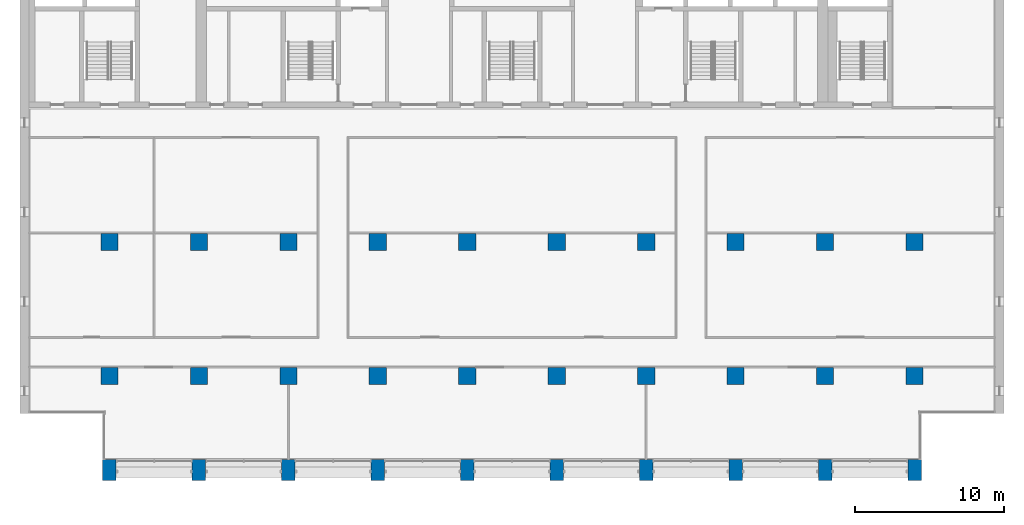
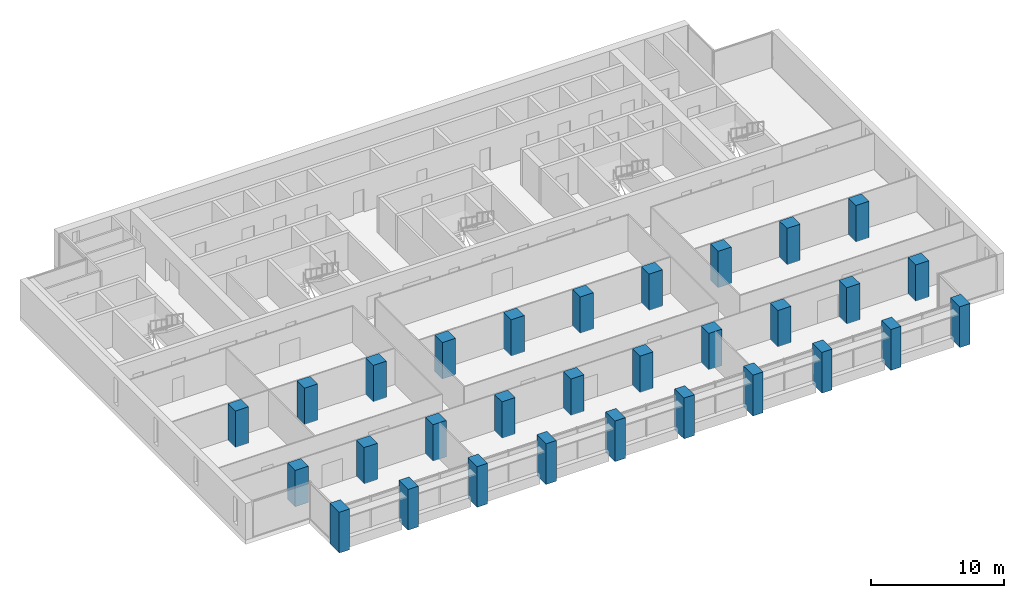
# One storey, part 1 of 16: 30 columns.
"""IFC4 building model written with IfcOpenShell, lengths in metres."""

import ifcopenshell
import ifcopenshell.guid

model = None  # the IFC model being written
_history = None  # IfcOwnerHistory: only IFC2X3 demands one
_inside = {}  # id of a spatial element -> (the spatial element, [elements in it])
_under = {}  # id of a project, library or spatial element -> (it, [spatial elements below it])
_declared = {}  # id of a project -> (the project, [libraries it declares])
_typed = {}  # id of a type object -> (the type object, [elements of that type])
_made_of = {}  # id of a material, layer set ... -> (it, [elements and type objects made of it])


def new_model(schema):
    """Start an empty IFC model of exactly this schema.

    Asked for "IFC4X3", IfcOpenShell would pick the latest addendum, in which some entities
    have other attributes; the version numbers below select the first issue.
    IFC2X3 requires an IfcOwnerHistory on every rooted entity: one is made here for all.
    """
    global model, _history
    if schema == "IFC4X3":
        model = ifcopenshell.file(schema_version=(4, 3, 0, 0))
    else:
        model = ifcopenshell.file(schema=schema)
    _inside.clear()
    _under.clear()
    _declared.clear()
    _typed.clear()
    _made_of.clear()
    _history = None
    if model.schema == "IFC2X3":
        org = make("IfcOrganization", Name="unknown")
        user = make(
            "IfcPersonAndOrganization",
            ThePerson=make("IfcPerson", FamilyName="unknown"),
            TheOrganization=org,
        )
        app = make(
            "IfcApplication",
            ApplicationDeveloper=org,
            Version="unknown",
            ApplicationFullName="unknown",
            ApplicationIdentifier="unknown",
        )
        _history = make(
            "IfcOwnerHistory",
            OwningUser=user,
            OwningApplication=app,
            ChangeAction="ADDED",
            CreationDate=0,
        )
    return model


def make(cls, **values):
    """One entity of the class cls with the attributes given. An attribute that is None is left unset."""
    return model.create_entity(
        cls, **{name: value for name, value in values.items() if value is not None}
    )


def rooted(cls, **values):
    """An entity with a GlobalId (a new one), such as an element, a storey or a relation."""
    return make(cls, GlobalId=ifcopenshell.guid.new(), OwnerHistory=_history, **values)


def si_unit(unit_type, name, prefix=None):
    """IfcSIUnit, for example si_unit("LENGTHUNIT", "METRE", prefix="MILLI")."""
    return make("IfcSIUnit", UnitType=unit_type, Prefix=prefix, Name=name)


def assignment(units):
    """IfcUnitAssignment: the units of a project."""
    return None if units is None else make("IfcUnitAssignment", Units=units)


def point(xyz):
    """IfcCartesianPoint."""
    return None if xyz is None else make("IfcCartesianPoint", Coordinates=xyz)


def direction(xyz):
    """IfcDirection."""
    return None if xyz is None else make("IfcDirection", DirectionRatios=xyz)


def frame(location, z_axis=None, x_axis=None):
    """IfcAxis2Placement3D, a coordinate frame: its origin and axes. An axis left out is left unset."""
    return make(
        "IfcAxis2Placement3D",
        Location=point(location),
        Axis=direction(z_axis),
        RefDirection=direction(x_axis),
    )


def frame_2d(location, x_axis=None):
    """IfcAxis2Placement2D, a coordinate frame in the plane: its origin and x axis."""
    return make(
        "IfcAxis2Placement2D", Location=point(location), RefDirection=direction(x_axis)
    )


def origin():
    """The frame at (0, 0, 0) with its axes left unset."""
    return frame((0.0, 0.0, 0.0))


def origin_2d():
    """The frame at (0, 0) in the plane with its x axis left unset."""
    return frame_2d((0.0, 0.0))


def place(relative_to, where):
    """IfcLocalPlacement: puts the frame where relative to a parent placement (None: the world)."""
    return make(
        "IfcLocalPlacement", PlacementRelTo=relative_to, RelativePlacement=where
    )


def context(
    kind, dimensions, precision=None, world=None, true_north=None, identifier=None
):
    """IfcGeometricRepresentationContext, for example the 3D "Model" context."""
    return make(
        "IfcGeometricRepresentationContext",
        ContextIdentifier=identifier,
        ContextType=kind,
        CoordinateSpaceDimension=dimensions,
        Precision=precision,
        WorldCoordinateSystem=world,
        TrueNorth=true_north,
    )


def subcontext(parent, identifier, kind, view, scale=None):
    """IfcGeometricRepresentationSubContext, for example "Body" below "Model"."""
    return make(
        "IfcGeometricRepresentationSubContext",
        ContextIdentifier=identifier,
        ContextType=kind,
        ParentContext=parent,
        TargetScale=scale,
        TargetView=view,
    )


def project(units=None, contexts=None):
    """IfcProject with its units and contexts."""
    return rooted(
        "IfcProject",
        Name="project",
        RepresentationContexts=contexts,
        UnitsInContext=assignment(units),
    )


def spatial(cls, under=None, at=None, **own):
    """A site, building, storey or space (cls), placed at a placement, below another one or the project."""
    s = rooted(cls, ObjectPlacement=at, **own)
    if under is not None:
        _under.setdefault(under.id(), (under, []))[1].append(s)
    return s


def profile(cls, at=None, kind="AREA", **sizes):
    """A parametric profile (cls). Its sizes go by their IFC names, for example OverallWidth=200.0."""
    return make(cls, ProfileType=kind, Position=at, **sizes)


def rectangle(**sizes):
    """IfcRectangleProfileDef."""
    return profile("IfcRectangleProfileDef", **sizes)


def extrude(swept, where, along, depth):
    """IfcExtrudedAreaSolid: the profile swept, set in the frame where, extruded along a direction by depth."""
    return make(
        "IfcExtrudedAreaSolid",
        SweptArea=swept,
        Position=where,
        ExtrudedDirection=direction(along),
        Depth=depth,
    )


def shape(context_of_items, identifier, shape_type, items):
    """IfcShapeRepresentation: the items that make up one representation, for example the "Body"."""
    return make(
        "IfcShapeRepresentation",
        ContextOfItems=context_of_items,
        RepresentationIdentifier=identifier,
        RepresentationType=shape_type,
        Items=items,
    )


def material(Name=None, Category=None):
    """IfcMaterial."""
    return make("IfcMaterial", Name=Name, Category=Category)


def material_profile(
    of_material, cross_section, Name=None, Category=None, Priority=None
):
    """IfcMaterialProfile: a cross section and its material."""
    return make(
        "IfcMaterialProfile",
        Name=Name,
        Material=of_material,
        Profile=cross_section,
        Priority=Priority,
        Category=Category,
    )


def profile_set(profiles, Name=None, composite=None):
    """IfcMaterialProfileSet."""
    return make(
        "IfcMaterialProfileSet",
        Name=Name,
        MaterialProfiles=profiles,
        CompositeProfile=composite,
    )


def made_of(thing, what):
    """Note that an element or type object is made of a material, layer set ...; save() writes the relation."""
    if what is not None:
        _made_of.setdefault(what.id(), (what, []))[1].append(thing)
    return thing


def type_object(cls, material=None, **own):
    """A type object (cls), such as IfcWallType, which elements share."""
    return made_of(rooted(cls, **own), material)


def element(
    cls,
    number,
    at=None,
    inside=None,
    cuts=None,
    type_object=None,
    material=None,
    context=None,
    identifier="Body",
    shape_type=None,
    held_by="IfcProductDefinitionShape",
    body=None,
    shapes=None,
    **own,
):
    """One element of the class cls, such as IfcWall. Its Tag is "e" and its number.

    at: its placement. inside: the storey or other place that contains it. cuts: it is an
    opening in that element (IfcRelVoidsElement). A single representation is given by context,
    identifier, shape_type and body (its items); several are given by shapes. held_by: the class
    of the entity that holds the representations. save() writes the other relations.
    """
    e = rooted(cls, Tag="e%d" % number, ObjectPlacement=at, **own)
    if body is not None:
        shapes = [shape(context, identifier, shape_type, body)]
    if shapes is not None:
        e.Representation = make(held_by, Representations=shapes)
    if inside is not None:
        _inside.setdefault(inside.id(), (inside, []))[1].append(e)
    if cuts is not None:
        rooted(
            "IfcRelVoidsElement", RelatingBuildingElement=cuts, RelatedOpeningElement=e
        )
    if type_object is not None:
        _typed.setdefault(type_object.id(), (type_object, []))[1].append(e)
    return made_of(e, material)


def aggregate(whole, parts):
    """IfcRelAggregates: a whole, such as a stair, and the parts it consists of."""
    return rooted("IfcRelAggregates", RelatingObject=whole, RelatedObjects=parts)


def save(model, path):
    """Write the relations noted so far, then the file.

    IfcRelAggregates (storeys below a building ...), IfcRelContainedInSpatialStructure (elements
    in a storey), IfcRelDefinesByType, IfcRelAssociatesMaterial and IfcRelDeclares: one each for
    every whole, place, type object, material and project.
    """
    for whole, parts in _under.values():
        aggregate(whole, parts)
    for where, things in _inside.values():
        rooted(
            "IfcRelContainedInSpatialStructure",
            RelatedElements=things,
            RelatingStructure=where,
        )
    for kind, things in _typed.values():
        rooted("IfcRelDefinesByType", RelatedObjects=things, RelatingType=kind)
    for what, things in _made_of.values():
        rooted("IfcRelAssociatesMaterial", RelatedObjects=things, RelatingMaterial=what)
    for by, libraries in _declared.values():
        rooted("IfcRelDeclares", RelatingContext=by, RelatedDefinitions=libraries)
    model.write(path)


model = new_model("IFC4")

# Units and contexts
model_context = context("Model", 3, precision=1e-05, world=origin(), true_north=direction((0.0, 1.0)))
body_context = subcontext(model_context, "Body", "Model", "MODEL_VIEW")
ifc_project = project(units=[si_unit("LENGTHUNIT", "METRE"), si_unit("AREAUNIT", "SQUARE_METRE"), si_unit("VOLUMEUNIT", "CUBIC_METRE"), si_unit("PLANEANGLEUNIT", "RADIAN"), si_unit("MASSUNIT", "GRAM", prefix="KILO")], contexts=[model_context])

# Site, building, storey
site_placement = place(None, origin())
site = spatial("IfcSite", under=ifc_project, at=site_placement, CompositionType="ELEMENT")
building_placement = place(site_placement, origin())
building = spatial("IfcBuilding", under=site, at=building_placement, Name="Calvaro Tower", CompositionType="ELEMENT")
storey_placement = place(building_placement, frame((0.0, 0.0, 178.0)))
storey = spatial("IfcBuildingStorey", under=building, at=storey_placement, Name="L44", CompositionType="ELEMENT", Elevation=178.0)

# Columns
ifc_material_1 = material(Name="Concrete C50/60", Category="concrete")
ifc_material_profile_1 = material_profile(ifc_material_1, rectangle(XDim=1.14990234375, YDim=1.14990234375, at=origin_2d()), Name="RC 1150x1150")
ifc_profile_set_1 = profile_set([ifc_material_profile_1], Name="Concrete C50/60")
column_type_1 = type_object("IfcColumnType", Name="Column 1150x1150 C50/60", PredefinedType="COLUMN", material=ifc_profile_set_1)
for number, where, z_axis, x_axis, name in (
    (1, (12.0, 10.0, 0.0), (0.0, 0.0, 1.0), (1.0, 0.0, 0.0), "Column 3B"),
    (2, (12.0, 19.0, 0.0), (0.0, 0.0, 1.0), (1.0, 0.0, 0.0), "Column 3C"),
    (3, (18.0, 10.0, 0.0), (0.0, 0.0, 1.0), (1.0, 0.0, 0.0), "Column 4B"),
    (4, (18.0, 19.0, 0.0), (0.0, 0.0, 1.0), (1.0, 0.0, 0.0), "Column 4C"),
    (5, (24.0, 10.0, 0.0), (0.0, 0.0, 1.0), (1.0, 0.0, 0.0), "Column 5B"),
    (6, (24.0, 19.0, 0.0), (0.0, 0.0, 1.0), (1.0, 0.0, 0.0), "Column 5C"),
    (7, (30.0, 10.0, 0.0), (0.0, 0.0, 1.0), (1.0, 0.0, 0.0), "Column 6B"),
    (8, (30.0, 19.0, 0.0), (0.0, 0.0, 1.0), (1.0, 0.0, 0.0), "Column 6C"),
    (9, (36.0, 10.0, 0.0), (0.0, 0.0, 1.0), (1.0, 0.0, 0.0), "Column 7B"),
    (10, (36.0, 19.0, 0.0), (0.0, 0.0, 1.0), (1.0, 0.0, 0.0), "Column 7C"),
    (11, (42.0, 10.0, 0.0), (0.0, 0.0, 1.0), (1.0, 0.0, 0.0), "Column 8B"),
    (12, (42.0, 19.0, 0.0), (0.0, 0.0, 1.0), (1.0, 0.0, 0.0), "Column 8C"),
    (13, (48.0, 10.0, 0.0), (0.0, 0.0, 1.0), (1.0, 0.0, 0.0), "Column 9B"),
    (14, (48.0, 19.0, 0.0), (0.0, 0.0, 1.0), (1.0, 0.0, 0.0), "Column 9C"),
    (15, (54.0, 10.0, 0.0), (0.0, 0.0, 1.0), (1.0, 0.0, 0.0), "Column 10B"),
    (16, (54.0, 19.0, 0.0), (0.0, 0.0, 1.0), (1.0, 0.0, 0.0), "Column 10C"),
    (17, (60.0, 10.0, 0.0), (0.0, 0.0, 1.0), (1.0, 0.0, 0.0), "Column 11B"),
    (18, (60.0, 19.0, 0.0), (0.0, 0.0, 1.0), (1.0, 0.0, 0.0), "Column 11C"),
    (19, (66.0, 10.0, 0.0), (0.0, 0.0, 1.0), (1.0, 0.0, 0.0), "Column 12B"),
    (20, (66.0, 19.0, 0.0), (0.0, 0.0, 1.0), (1.0, 0.0, 0.0), "Column 12C"),
):
    element("IfcColumn", number, at=place(storey_placement, frame(where, z_axis=z_axis, x_axis=x_axis)), inside=storey, type_object=column_type_1, Name=name, PredefinedType="COLUMN", context=body_context, shape_type="SweptSolid", body=[
        extrude(rectangle(XDim=1.14990234375, YDim=1.14990234375, at=origin_2d()), origin(), (0.0, 0.0, 1.0), 3.35009765625),
    ])
ifc_material_2 = material(Name="Concrete C50/60", Category="concrete")
ifc_material_profile_2 = material_profile(ifc_material_2, rectangle(XDim=0.89990234375, YDim=1.39990234375, at=origin_2d()), Name="RC 900x1400")
ifc_profile_set_2 = profile_set([ifc_material_profile_2], Name="Concrete C50/60")
column_type_2 = type_object("IfcColumnType", Name="Pier 900x1400 C50/60", PredefinedType="COLUMN", material=ifc_profile_set_2)
for number, where, z_axis, x_axis, name in (
    (21, (12.0, 3.699951171875, -0.39990234375), (0.0, 0.0, 1.0), (1.0, 0.0, 0.0), "South pier 3"),
    (22, (18.0, 3.699951171875, -0.39990234375), (0.0, 0.0, 1.0), (1.0, 0.0, 0.0), "South pier 4"),
    (23, (24.0, 3.699951171875, -0.39990234375), (0.0, 0.0, 1.0), (1.0, 0.0, 0.0), "South pier 5"),
    (24, (30.0, 3.699951171875, -0.39990234375), (0.0, 0.0, 1.0), (1.0, 0.0, 0.0), "South pier 6"),
    (25, (36.0, 3.699951171875, -0.39990234375), (0.0, 0.0, 1.0), (1.0, 0.0, 0.0), "South pier 7"),
    (26, (42.0, 3.699951171875, -0.39990234375), (0.0, 0.0, 1.0), (1.0, 0.0, 0.0), "South pier 8"),
    (27, (48.0, 3.699951171875, -0.39990234375), (0.0, 0.0, 1.0), (1.0, 0.0, 0.0), "South pier 9"),
    (28, (54.0, 3.699951171875, -0.39990234375), (0.0, 0.0, 1.0), (1.0, 0.0, 0.0), "South pier 10"),
    (29, (60.0, 3.699951171875, -0.39990234375), (0.0, 0.0, 1.0), (1.0, 0.0, 0.0), "South pier 11"),
    (30, (66.0, 3.699951171875, -0.39990234375), (0.0, 0.0, 1.0), (1.0, 0.0, 0.0), "South pier 12"),
):
    element("IfcColumn", number, at=place(storey_placement, frame(where, z_axis=z_axis, x_axis=x_axis)), inside=storey, type_object=column_type_2, Name=name, PredefinedType="COLUMN", context=body_context, shape_type="SweptSolid", body=[
        extrude(rectangle(XDim=0.89990234375, YDim=1.39990234375, at=origin_2d()), origin(), (0.0, 0.0, 1.0), 3.75),
    ])

save(model, "model.ifc")
